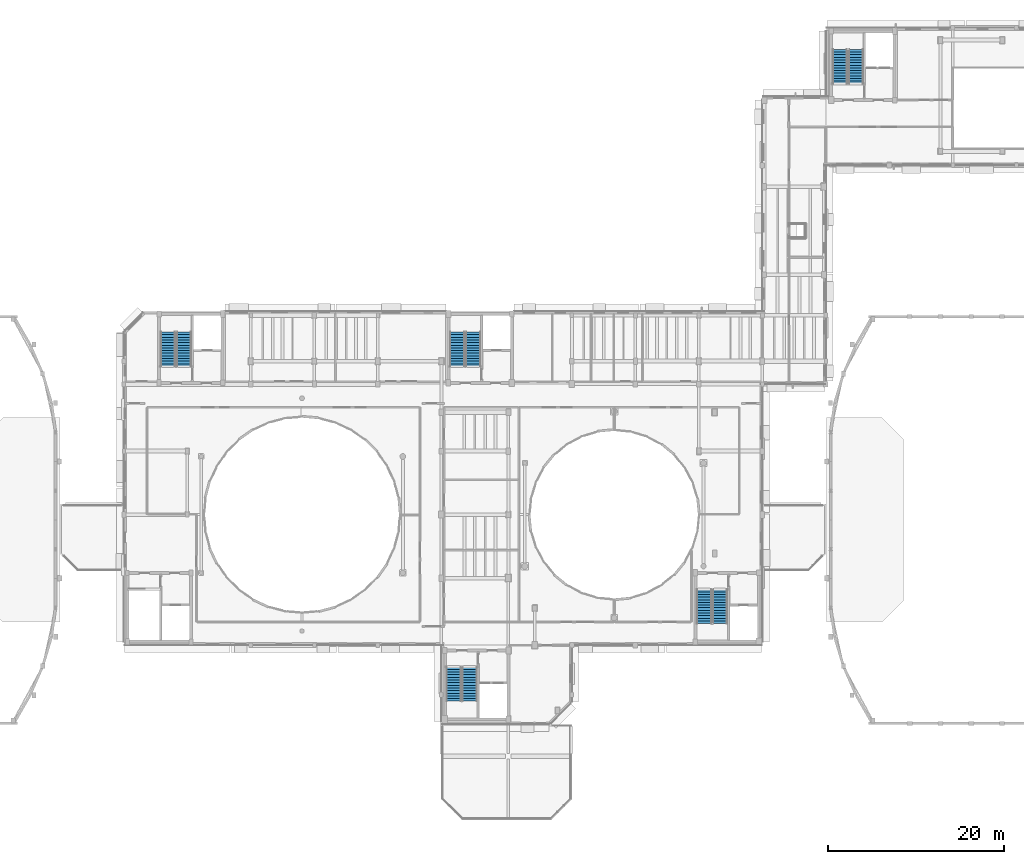
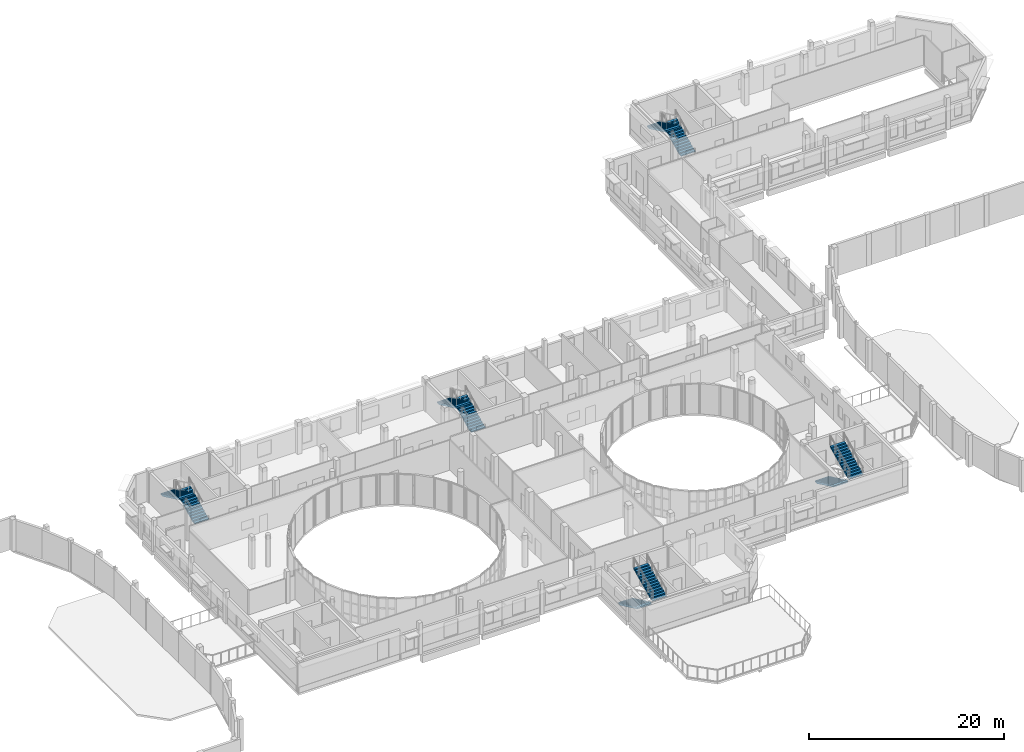
# One storey, part 76 of 89: 10 stair flights, 5 elements without a shape of their own.
"""IFC4 building model written with IfcOpenShell, lengths in metres."""

import ifcopenshell
import ifcopenshell.guid

model = None  # the IFC model being written
_history = None  # IfcOwnerHistory: only IFC2X3 demands one
_inside = {}  # id of a spatial element -> (the spatial element, [elements in it])
_under = {}  # id of a project, library or spatial element -> (it, [spatial elements below it])
_declared = {}  # id of a project -> (the project, [libraries it declares])
_typed = {}  # id of a type object -> (the type object, [elements of that type])
_made_of = {}  # id of a material, layer set ... -> (it, [elements and type objects made of it])


def new_model(schema):
    """Start an empty IFC model of exactly this schema.

    Asked for "IFC4X3", IfcOpenShell would pick the latest addendum, in which some entities
    have other attributes; the version numbers below select the first issue.
    IFC2X3 requires an IfcOwnerHistory on every rooted entity: one is made here for all.
    """
    global model, _history
    if schema == "IFC4X3":
        model = ifcopenshell.file(schema_version=(4, 3, 0, 0))
    else:
        model = ifcopenshell.file(schema=schema)
    _inside.clear()
    _under.clear()
    _declared.clear()
    _typed.clear()
    _made_of.clear()
    _history = None
    if model.schema == "IFC2X3":
        org = make("IfcOrganization", Name="unknown")
        user = make(
            "IfcPersonAndOrganization",
            ThePerson=make("IfcPerson", FamilyName="unknown"),
            TheOrganization=org,
        )
        app = make(
            "IfcApplication",
            ApplicationDeveloper=org,
            Version="unknown",
            ApplicationFullName="unknown",
            ApplicationIdentifier="unknown",
        )
        _history = make(
            "IfcOwnerHistory",
            OwningUser=user,
            OwningApplication=app,
            ChangeAction="ADDED",
            CreationDate=0,
        )
    return model


def make(cls, **values):
    """One entity of the class cls with the attributes given. An attribute that is None is left unset."""
    return model.create_entity(
        cls, **{name: value for name, value in values.items() if value is not None}
    )


def rooted(cls, **values):
    """An entity with a GlobalId (a new one), such as an element, a storey or a relation."""
    return make(cls, GlobalId=ifcopenshell.guid.new(), OwnerHistory=_history, **values)


def si_unit(unit_type, name, prefix=None):
    """IfcSIUnit, for example si_unit("LENGTHUNIT", "METRE", prefix="MILLI")."""
    return make("IfcSIUnit", UnitType=unit_type, Prefix=prefix, Name=name)


def assignment(units):
    """IfcUnitAssignment: the units of a project."""
    return None if units is None else make("IfcUnitAssignment", Units=units)


def point(xyz):
    """IfcCartesianPoint."""
    return None if xyz is None else make("IfcCartesianPoint", Coordinates=xyz)


def direction(xyz):
    """IfcDirection."""
    return None if xyz is None else make("IfcDirection", DirectionRatios=xyz)


def frame(location, z_axis=None, x_axis=None):
    """IfcAxis2Placement3D, a coordinate frame: its origin and axes. An axis left out is left unset."""
    return make(
        "IfcAxis2Placement3D",
        Location=point(location),
        Axis=direction(z_axis),
        RefDirection=direction(x_axis),
    )


def origin():
    """The frame at (0, 0, 0) with its axes left unset."""
    return frame((0.0, 0.0, 0.0))


def place(relative_to, where):
    """IfcLocalPlacement: puts the frame where relative to a parent placement (None: the world)."""
    return make(
        "IfcLocalPlacement", PlacementRelTo=relative_to, RelativePlacement=where
    )


def context(
    kind, dimensions, precision=None, world=None, true_north=None, identifier=None
):
    """IfcGeometricRepresentationContext, for example the 3D "Model" context."""
    return make(
        "IfcGeometricRepresentationContext",
        ContextIdentifier=identifier,
        ContextType=kind,
        CoordinateSpaceDimension=dimensions,
        Precision=precision,
        WorldCoordinateSystem=world,
        TrueNorth=true_north,
    )


def subcontext(parent, identifier, kind, view, scale=None):
    """IfcGeometricRepresentationSubContext, for example "Body" below "Model"."""
    return make(
        "IfcGeometricRepresentationSubContext",
        ContextIdentifier=identifier,
        ContextType=kind,
        ParentContext=parent,
        TargetScale=scale,
        TargetView=view,
    )


def project(units=None, contexts=None):
    """IfcProject with its units and contexts."""
    return rooted(
        "IfcProject",
        Name="project",
        RepresentationContexts=contexts,
        UnitsInContext=assignment(units),
    )


def spatial(cls, under=None, at=None, **own):
    """A site, building, storey or space (cls), placed at a placement, below another one or the project."""
    s = rooted(cls, ObjectPlacement=at, **own)
    if under is not None:
        _under.setdefault(under.id(), (under, []))[1].append(s)
    return s


def polyline(points):
    """IfcPolyline through the points."""
    return make("IfcPolyline", Points=[point(p) for p in points])


def outline(outer, holes=None, kind="AREA"):
    """IfcArbitraryClosedProfileDef: a profile drawn as a closed curve; with holes, ...WithVoids."""
    if holes is None:
        return make("IfcArbitraryClosedProfileDef", ProfileType=kind, OuterCurve=outer)
    return make(
        "IfcArbitraryProfileDefWithVoids",
        ProfileType=kind,
        OuterCurve=outer,
        InnerCurves=holes,
    )


def extrude(swept, where, along, depth):
    """IfcExtrudedAreaSolid: the profile swept, set in the frame where, extruded along a direction by depth."""
    return make(
        "IfcExtrudedAreaSolid",
        SweptArea=swept,
        Position=where,
        ExtrudedDirection=direction(along),
        Depth=depth,
    )


def shape(context_of_items, identifier, shape_type, items):
    """IfcShapeRepresentation: the items that make up one representation, for example the "Body"."""
    return make(
        "IfcShapeRepresentation",
        ContextOfItems=context_of_items,
        RepresentationIdentifier=identifier,
        RepresentationType=shape_type,
        Items=items,
    )


def material(Name=None, Category=None):
    """IfcMaterial."""
    return make("IfcMaterial", Name=Name, Category=Category)


def made_of(thing, what):
    """Note that an element or type object is made of a material, layer set ...; save() writes the relation."""
    if what is not None:
        _made_of.setdefault(what.id(), (what, []))[1].append(thing)
    return thing


def type_object(cls, material=None, **own):
    """A type object (cls), such as IfcWallType, which elements share."""
    return made_of(rooted(cls, **own), material)


def element(
    cls,
    number,
    at=None,
    inside=None,
    cuts=None,
    type_object=None,
    material=None,
    context=None,
    identifier="Body",
    shape_type=None,
    held_by="IfcProductDefinitionShape",
    body=None,
    shapes=None,
    **own,
):
    """One element of the class cls, such as IfcWall. Its Tag is "e" and its number.

    at: its placement. inside: the storey or other place that contains it. cuts: it is an
    opening in that element (IfcRelVoidsElement). A single representation is given by context,
    identifier, shape_type and body (its items); several are given by shapes. held_by: the class
    of the entity that holds the representations. save() writes the other relations.
    """
    e = rooted(cls, Tag="e%d" % number, ObjectPlacement=at, **own)
    if body is not None:
        shapes = [shape(context, identifier, shape_type, body)]
    if shapes is not None:
        e.Representation = make(held_by, Representations=shapes)
    if inside is not None:
        _inside.setdefault(inside.id(), (inside, []))[1].append(e)
    if cuts is not None:
        rooted(
            "IfcRelVoidsElement", RelatingBuildingElement=cuts, RelatedOpeningElement=e
        )
    if type_object is not None:
        _typed.setdefault(type_object.id(), (type_object, []))[1].append(e)
    return made_of(e, material)


def aggregate(whole, parts):
    """IfcRelAggregates: a whole, such as a stair, and the parts it consists of."""
    return rooted("IfcRelAggregates", RelatingObject=whole, RelatedObjects=parts)


def save(model, path):
    """Write the relations noted so far, then the file.

    IfcRelAggregates (storeys below a building ...), IfcRelContainedInSpatialStructure (elements
    in a storey), IfcRelDefinesByType, IfcRelAssociatesMaterial and IfcRelDeclares: one each for
    every whole, place, type object, material and project.
    """
    for whole, parts in _under.values():
        aggregate(whole, parts)
    for where, things in _inside.values():
        rooted(
            "IfcRelContainedInSpatialStructure",
            RelatedElements=things,
            RelatingStructure=where,
        )
    for kind, things in _typed.values():
        rooted("IfcRelDefinesByType", RelatedObjects=things, RelatingType=kind)
    for what, things in _made_of.values():
        rooted("IfcRelAssociatesMaterial", RelatedObjects=things, RelatingMaterial=what)
    for by, libraries in _declared.values():
        rooted("IfcRelDeclares", RelatingContext=by, RelatedDefinitions=libraries)
    model.write(path)


model = new_model("IFC4")

# Units and contexts
model_context = context("Model", 3, precision=1e-05, world=origin(), true_north=direction((0.0, 1.0)))
body_context = subcontext(model_context, "Body", "Model", "MODEL_VIEW")
ifc_project = project(units=[si_unit("LENGTHUNIT", "METRE"), si_unit("AREAUNIT", "SQUARE_METRE"), si_unit("VOLUMEUNIT", "CUBIC_METRE"), si_unit("PLANEANGLEUNIT", "RADIAN"), si_unit("MASSUNIT", "GRAM", prefix="KILO")], contexts=[model_context])

# Site, building, storey
site_placement = place(None, origin())
site = spatial("IfcSite", under=ifc_project, at=site_placement, CompositionType="ELEMENT")
building_placement = place(site_placement, origin())
building = spatial("IfcBuilding", under=site, at=building_placement, Name="Kelanivale Promenade Academy", CompositionType="ELEMENT")
storey_placement = place(building_placement, frame((0.0, 0.0, 12.199951171875)))
storey = spatial("IfcBuildingStorey", under=building, at=storey_placement, Name="L03", CompositionType="ELEMENT", Elevation=12.199951171875)

# Stair, stair flight
ifc_material = material(Name="Concrete C35/45", Category="concrete")
stair_type = type_object("IfcStairType", Name="ST-T02 Protected dog-leg upper-storey stair", PredefinedType="HALF_TURN_STAIR", material=ifc_material)
stair_1_placement = place(storey_placement, origin())
stair_1 = element("IfcStair", 1, at=stair_1_placement, inside=storey, type_object=stair_type, Name="L03 ST-01", PredefinedType="HALF_TURN_STAIR")
stair_flight_type_1 = type_object("IfcStairFlightType", Name="SF-T03 Core stair RC flight 14 risers x 142", PredefinedType="STRAIGHT", material=ifc_material)
stair_flight_1_placement = place(storey_placement, frame((80.610107421875, 39.544921875, 0.0), z_axis=(0.0, 0.0, 1.0), x_axis=(0.0, -1.0, 0.0)))
stair_flight_1 = element("IfcStairFlight", 2, at=stair_flight_1_placement, type_object=stair_flight_type_1, Name="ST-01 flight 1", NumberOfRisers=14, NumberOfTreads=13, PredefinedType="STRAIGHT", RiserHeight=0.142857143, TreadLength=0.3, context=body_context, shape_type="SweptSolid", body=[
    extrude(outline(polyline([(0.0, 0.0), (0.0, 0.142822265625), (0.300048828125, 0.142822265625), (0.300048828125, 0.28564453125), (0.60009765625, 0.28564453125), (0.60009765625, 0.428466796875), (0.89990234375, 0.428466796875), (0.89990234375, 0.571533203125), (1.199951171875, 0.571533203125), (1.199951171875, 0.71435546875), (1.5, 0.71435546875), (1.5, 0.857177734375), (1.800048828125, 0.857177734375), (1.800048828125, 1.0), (2.10009765625, 1.0), (2.10009765625, 1.142822265625), (2.39990234375, 1.142822265625), (2.39990234375, 1.28564453125), (2.699951171875, 1.28564453125), (2.699951171875, 1.428466796875), (3.0, 1.428466796875), (3.0, 1.571533203125), (3.300048828125, 1.571533203125), (3.300048828125, 1.71435546875), (3.60009765625, 1.71435546875), (3.60009765625, 1.857177734375), (3.89990234375, 1.857177734375), (3.89990234375, 2.0), (3.89990234375, 1.657958984375), (0.41845703125, 0.0), (0.0, 0.0)])), frame((0.0, 0.844970703125, 0.0), z_axis=(0.0, -1.0, 0.0), x_axis=(1.0, 0.0, 0.0)), (0.0, 0.0, 1.0), 1.68994140625),
])

stair_2_placement = place(storey_placement, origin())
stair_2 = element("IfcStair", 3, at=stair_2_placement, inside=storey, type_object=stair_type, Name="L03 ST-02", PredefinedType="HALF_TURN_STAIR")
stair_flight_2_placement = place(storey_placement, frame((82.820068359375, 73.60498046875, 0.0), z_axis=(0.0, 0.0, 1.0), x_axis=(0.0, 1.0, 0.0)))
stair_flight_2 = element("IfcStairFlight", 4, at=stair_flight_2_placement, type_object=stair_flight_type_1, Name="ST-02 flight 1", NumberOfRisers=14, NumberOfTreads=13, PredefinedType="STRAIGHT", RiserHeight=0.142857143, TreadLength=0.3, context=body_context, shape_type="SweptSolid", body=[
    extrude(outline(polyline([(0.0, 0.0), (0.0, 0.142822265625), (0.300048828125, 0.142822265625), (0.300048828125, 0.28564453125), (0.60009765625, 0.28564453125), (0.60009765625, 0.428466796875), (0.89990234375, 0.428466796875), (0.89990234375, 0.571533203125), (1.199951171875, 0.571533203125), (1.199951171875, 0.71435546875), (1.5, 0.71435546875), (1.5, 0.857177734375), (1.800048828125, 0.857177734375), (1.800048828125, 1.0), (2.10009765625, 1.0), (2.10009765625, 1.142822265625), (2.39990234375, 1.142822265625), (2.39990234375, 1.28564453125), (2.699951171875, 1.28564453125), (2.699951171875, 1.428466796875), (3.0, 1.428466796875), (3.0, 1.571533203125), (3.300048828125, 1.571533203125), (3.300048828125, 1.71435546875), (3.60009765625, 1.71435546875), (3.60009765625, 1.857177734375), (3.89990234375, 1.857177734375), (3.89990234375, 2.0), (3.89990234375, 1.657958984375), (0.41845703125, 0.0), (0.0, 0.0)])), frame((0.0, 0.844970703125, 0.0), z_axis=(0.0, -1.0, 0.0), x_axis=(1.0, 0.0, 0.0)), (0.0, 0.0, 1.0), 1.68994140625),
])

stair_3_placement = place(storey_placement, origin())
stair_3 = element("IfcStair", 5, at=stair_3_placement, inside=storey, type_object=stair_type, Name="L03 ST-03", PredefinedType="HALF_TURN_STAIR")
stair_flight_3_placement = place(storey_placement, frame((109.010009765625, 48.344970703125, 0.0), z_axis=(0.0, 0.0, 1.0), x_axis=(0.0, -1.0, 0.0)))
stair_flight_3 = element("IfcStairFlight", 6, at=stair_flight_3_placement, type_object=stair_flight_type_1, Name="ST-03 flight 1", NumberOfRisers=14, NumberOfTreads=13, PredefinedType="STRAIGHT", RiserHeight=0.142857143, TreadLength=0.3, context=body_context, shape_type="SweptSolid", body=[
    extrude(outline(polyline([(0.0, 0.0), (0.0, 0.142822265625), (0.300048828125, 0.142822265625), (0.300048828125, 0.28564453125), (0.60009765625, 0.28564453125), (0.60009765625, 0.428466796875), (0.89990234375, 0.428466796875), (0.89990234375, 0.571533203125), (1.199951171875, 0.571533203125), (1.199951171875, 0.71435546875), (1.5, 0.71435546875), (1.5, 0.857177734375), (1.800048828125, 0.857177734375), (1.800048828125, 1.0), (2.10009765625, 1.0), (2.10009765625, 1.142822265625), (2.39990234375, 1.142822265625), (2.39990234375, 1.28564453125), (2.699951171875, 1.28564453125), (2.699951171875, 1.428466796875), (3.0, 1.428466796875), (3.0, 1.571533203125), (3.300048828125, 1.571533203125), (3.300048828125, 1.71435546875), (3.60009765625, 1.71435546875), (3.60009765625, 1.857177734375), (3.89990234375, 1.857177734375), (3.89990234375, 2.0), (3.89990234375, 1.657958984375), (0.41845703125, 0.0), (0.0, 0.0)])), frame((0.0, 0.844970703125, 0.0), z_axis=(0.0, -1.0, 0.0), x_axis=(1.0, 0.0, 0.0)), (0.0, 0.0, 1.0), 1.68994140625),
])

stair_4_placement = place(storey_placement, origin())
stair_4 = element("IfcStair", 7, at=stair_4_placement, inside=storey, type_object=stair_type, Name="L03 ST-04", PredefinedType="HALF_TURN_STAIR")
stair_flight_4_placement = place(storey_placement, frame((50.02001953125, 73.60498046875, 0.0), z_axis=(0.0, 0.0, 1.0), x_axis=(0.0, 1.0, 0.0)))
stair_flight_4 = element("IfcStairFlight", 8, at=stair_flight_4_placement, type_object=stair_flight_type_1, Name="ST-04 flight 1", NumberOfRisers=14, NumberOfTreads=13, PredefinedType="STRAIGHT", RiserHeight=0.142857143, TreadLength=0.3, context=body_context, shape_type="SweptSolid", body=[
    extrude(outline(polyline([(0.0, 0.0), (0.0, 0.142822265625), (0.300048828125, 0.142822265625), (0.300048828125, 0.28564453125), (0.60009765625, 0.28564453125), (0.60009765625, 0.428466796875), (0.89990234375, 0.428466796875), (0.89990234375, 0.571533203125), (1.199951171875, 0.571533203125), (1.199951171875, 0.71435546875), (1.5, 0.71435546875), (1.5, 0.857177734375), (1.800048828125, 0.857177734375), (1.800048828125, 1.0), (2.10009765625, 1.0), (2.10009765625, 1.142822265625), (2.39990234375, 1.142822265625), (2.39990234375, 1.28564453125), (2.699951171875, 1.28564453125), (2.699951171875, 1.428466796875), (3.0, 1.428466796875), (3.0, 1.571533203125), (3.300048828125, 1.571533203125), (3.300048828125, 1.71435546875), (3.60009765625, 1.71435546875), (3.60009765625, 1.857177734375), (3.89990234375, 1.857177734375), (3.89990234375, 2.0), (3.89990234375, 1.657958984375), (0.41845703125, 0.0), (0.0, 0.0)])), frame((0.0, 0.844970703125, 0.0), z_axis=(0.0, -1.0, 0.0), x_axis=(1.0, 0.0, 0.0)), (0.0, 0.0, 1.0), 1.68994140625),
])

stair_5_placement = place(storey_placement, origin())
stair_5 = element("IfcStair", 9, at=stair_5_placement, inside=storey, type_object=stair_type, Name="L03 ST-05", PredefinedType="HALF_TURN_STAIR")
stair_flight_5_placement = place(storey_placement, frame((126.219970703125, 105.655029296875, 0.0), z_axis=(0.0, 0.0, 1.0), x_axis=(0.0, 1.0, 0.0)))
stair_flight_5 = element("IfcStairFlight", 10, at=stair_flight_5_placement, type_object=stair_flight_type_1, Name="ST-05 flight 1", NumberOfRisers=14, NumberOfTreads=13, PredefinedType="STRAIGHT", RiserHeight=0.142857143, TreadLength=0.3, context=body_context, shape_type="SweptSolid", body=[
    extrude(outline(polyline([(0.0, 0.0), (0.0, 0.142822265625), (0.300048828125, 0.142822265625), (0.300048828125, 0.28564453125), (0.60009765625, 0.28564453125), (0.60009765625, 0.428466796875), (0.89990234375, 0.428466796875), (0.89990234375, 0.571533203125), (1.199951171875, 0.571533203125), (1.199951171875, 0.71435546875), (1.5, 0.71435546875), (1.5, 0.857177734375), (1.800048828125, 0.857177734375), (1.800048828125, 1.0), (2.10009765625, 1.0), (2.10009765625, 1.142822265625), (2.39990234375, 1.142822265625), (2.39990234375, 1.28564453125), (2.699951171875, 1.28564453125), (2.699951171875, 1.428466796875), (3.0, 1.428466796875), (3.0, 1.571533203125), (3.300048828125, 1.571533203125), (3.300048828125, 1.71435546875), (3.60009765625, 1.71435546875), (3.60009765625, 1.857177734375), (3.89990234375, 1.857177734375), (3.89990234375, 2.0), (3.89990234375, 1.657958984375), (0.41845703125, 0.0), (0.0, 0.0)])), frame((0.0, 0.844970703125, 0.0), z_axis=(0.0, -1.0, 0.0), x_axis=(1.0, 0.0, 0.0)), (0.0, 0.0, 1.0), 1.68994140625),
])

# Stair flight
stair_flight_type_2 = type_object("IfcStairFlightType", Name="SF-T04 Core stair RC return flight 14 riser", PredefinedType="STRAIGHT", material=ifc_material)
stair_flight_6_placement = place(storey_placement, frame((82.419921875, 35.64501953125, 2.0), z_axis=(0.0, 0.0, 1.0), x_axis=(0.0, 1.0, 0.0)))
stair_flight_6 = element("IfcStairFlight", 11, at=stair_flight_6_placement, type_object=stair_flight_type_2, Name="ST-01 flight 2", NumberOfRisers=14, NumberOfTreads=13, PredefinedType="STRAIGHT", RiserHeight=0.142857143, TreadLength=0.3, context=body_context, shape_type="SweptSolid", body=[
    extrude(outline(polyline([(0.0, 0.0), (0.0, 0.142822265625), (0.300048828125, 0.142822265625), (0.300048828125, 0.28564453125), (0.60009765625, 0.28564453125), (0.60009765625, 0.428466796875), (0.89990234375, 0.428466796875), (0.89990234375, 0.571533203125), (1.199951171875, 0.571533203125), (1.199951171875, 0.71435546875), (1.5, 0.71435546875), (1.5, 0.857177734375), (1.800048828125, 0.857177734375), (1.800048828125, 1.0), (2.10009765625, 1.0), (2.10009765625, 1.142822265625), (2.39990234375, 1.142822265625), (2.39990234375, 1.28564453125), (2.699951171875, 1.28564453125), (2.699951171875, 1.428466796875), (3.0, 1.428466796875), (3.0, 1.571533203125), (3.300048828125, 1.571533203125), (3.300048828125, 1.71435546875), (3.60009765625, 1.71435546875), (3.60009765625, 1.857177734375), (3.89990234375, 1.857177734375), (3.89990234375, 2.0), (3.89990234375, 1.657958984375), (0.41845703125, 0.0), (0.0, 0.0)])), frame((0.0, 0.844970703125, 0.0), z_axis=(0.0, -1.0, 0.0), x_axis=(1.0, 0.0, 0.0)), (0.0, 0.0, 1.0), 1.68994140625),
])

aggregate(stair_1, [stair_flight_1, stair_flight_6])

stair_flight_7_placement = place(storey_placement, frame((81.010009765625, 77.5048828125, 2.0), z_axis=(0.0, 0.0, 1.0), x_axis=(0.0, -1.0, 0.0)))
stair_flight_7 = element("IfcStairFlight", 12, at=stair_flight_7_placement, type_object=stair_flight_type_2, Name="ST-02 flight 2", NumberOfRisers=14, NumberOfTreads=13, PredefinedType="STRAIGHT", RiserHeight=0.142857143, TreadLength=0.3, context=body_context, shape_type="SweptSolid", body=[
    extrude(outline(polyline([(0.0, 0.0), (0.0, 0.142822265625), (0.300048828125, 0.142822265625), (0.300048828125, 0.28564453125), (0.60009765625, 0.28564453125), (0.60009765625, 0.428466796875), (0.89990234375, 0.428466796875), (0.89990234375, 0.571533203125), (1.199951171875, 0.571533203125), (1.199951171875, 0.71435546875), (1.5, 0.71435546875), (1.5, 0.857177734375), (1.800048828125, 0.857177734375), (1.800048828125, 1.0), (2.10009765625, 1.0), (2.10009765625, 1.142822265625), (2.39990234375, 1.142822265625), (2.39990234375, 1.28564453125), (2.699951171875, 1.28564453125), (2.699951171875, 1.428466796875), (3.0, 1.428466796875), (3.0, 1.571533203125), (3.300048828125, 1.571533203125), (3.300048828125, 1.71435546875), (3.60009765625, 1.71435546875), (3.60009765625, 1.857177734375), (3.89990234375, 1.857177734375), (3.89990234375, 2.0), (3.89990234375, 1.657958984375), (0.41845703125, 0.0), (0.0, 0.0)])), frame((0.0, 0.844970703125, 0.0), z_axis=(0.0, -1.0, 0.0), x_axis=(1.0, 0.0, 0.0)), (0.0, 0.0, 1.0), 1.68994140625),
])

aggregate(stair_2, [stair_flight_2, stair_flight_7])

stair_flight_8_placement = place(storey_placement, frame((110.820068359375, 44.445068359375, 2.0), z_axis=(0.0, 0.0, 1.0), x_axis=(0.0, 1.0, 0.0)))
stair_flight_8 = element("IfcStairFlight", 13, at=stair_flight_8_placement, type_object=stair_flight_type_2, Name="ST-03 flight 2", NumberOfRisers=14, NumberOfTreads=13, PredefinedType="STRAIGHT", RiserHeight=0.142857143, TreadLength=0.3, context=body_context, shape_type="SweptSolid", body=[
    extrude(outline(polyline([(0.0, 0.0), (0.0, 0.142822265625), (0.300048828125, 0.142822265625), (0.300048828125, 0.28564453125), (0.60009765625, 0.28564453125), (0.60009765625, 0.428466796875), (0.89990234375, 0.428466796875), (0.89990234375, 0.571533203125), (1.199951171875, 0.571533203125), (1.199951171875, 0.71435546875), (1.5, 0.71435546875), (1.5, 0.857177734375), (1.800048828125, 0.857177734375), (1.800048828125, 1.0), (2.10009765625, 1.0), (2.10009765625, 1.142822265625), (2.39990234375, 1.142822265625), (2.39990234375, 1.28564453125), (2.699951171875, 1.28564453125), (2.699951171875, 1.428466796875), (3.0, 1.428466796875), (3.0, 1.571533203125), (3.300048828125, 1.571533203125), (3.300048828125, 1.71435546875), (3.60009765625, 1.71435546875), (3.60009765625, 1.857177734375), (3.89990234375, 1.857177734375), (3.89990234375, 2.0), (3.89990234375, 1.657958984375), (0.41845703125, 0.0), (0.0, 0.0)])), frame((0.0, 0.844970703125, 0.0), z_axis=(0.0, -1.0, 0.0), x_axis=(1.0, 0.0, 0.0)), (0.0, 0.0, 1.0), 1.68994140625),
])

aggregate(stair_3, [stair_flight_3, stair_flight_8])

stair_flight_9_placement = place(storey_placement, frame((48.2099609375, 77.5048828125, 2.0), z_axis=(0.0, 0.0, 1.0), x_axis=(0.0, -1.0, 0.0)))
stair_flight_9 = element("IfcStairFlight", 14, at=stair_flight_9_placement, type_object=stair_flight_type_2, Name="ST-04 flight 2", NumberOfRisers=14, NumberOfTreads=13, PredefinedType="STRAIGHT", RiserHeight=0.142857143, TreadLength=0.3, context=body_context, shape_type="SweptSolid", body=[
    extrude(outline(polyline([(0.0, 0.0), (0.0, 0.142822265625), (0.300048828125, 0.142822265625), (0.300048828125, 0.28564453125), (0.60009765625, 0.28564453125), (0.60009765625, 0.428466796875), (0.89990234375, 0.428466796875), (0.89990234375, 0.571533203125), (1.199951171875, 0.571533203125), (1.199951171875, 0.71435546875), (1.5, 0.71435546875), (1.5, 0.857177734375), (1.800048828125, 0.857177734375), (1.800048828125, 1.0), (2.10009765625, 1.0), (2.10009765625, 1.142822265625), (2.39990234375, 1.142822265625), (2.39990234375, 1.28564453125), (2.699951171875, 1.28564453125), (2.699951171875, 1.428466796875), (3.0, 1.428466796875), (3.0, 1.571533203125), (3.300048828125, 1.571533203125), (3.300048828125, 1.71435546875), (3.60009765625, 1.71435546875), (3.60009765625, 1.857177734375), (3.89990234375, 1.857177734375), (3.89990234375, 2.0), (3.89990234375, 1.657958984375), (0.41845703125, 0.0), (0.0, 0.0)])), frame((0.0, 0.844970703125, 0.0), z_axis=(0.0, -1.0, 0.0), x_axis=(1.0, 0.0, 0.0)), (0.0, 0.0, 1.0), 1.68994140625),
])

aggregate(stair_4, [stair_flight_4, stair_flight_9])

stair_flight_10_placement = place(storey_placement, frame((124.409912109375, 109.554931640625, 2.0), z_axis=(0.0, 0.0, 1.0), x_axis=(0.0, -1.0, 0.0)))
stair_flight_10 = element("IfcStairFlight", 15, at=stair_flight_10_placement, type_object=stair_flight_type_2, Name="ST-05 flight 2", NumberOfRisers=14, NumberOfTreads=13, PredefinedType="STRAIGHT", RiserHeight=0.142857143, TreadLength=0.3, context=body_context, shape_type="SweptSolid", body=[
    extrude(outline(polyline([(0.0, 0.0), (0.0, 0.142822265625), (0.300048828125, 0.142822265625), (0.300048828125, 0.28564453125), (0.60009765625, 0.28564453125), (0.60009765625, 0.428466796875), (0.89990234375, 0.428466796875), (0.89990234375, 0.571533203125), (1.199951171875, 0.571533203125), (1.199951171875, 0.71435546875), (1.5, 0.71435546875), (1.5, 0.857177734375), (1.800048828125, 0.857177734375), (1.800048828125, 1.0), (2.10009765625, 1.0), (2.10009765625, 1.142822265625), (2.39990234375, 1.142822265625), (2.39990234375, 1.28564453125), (2.699951171875, 1.28564453125), (2.699951171875, 1.428466796875), (3.0, 1.428466796875), (3.0, 1.571533203125), (3.300048828125, 1.571533203125), (3.300048828125, 1.71435546875), (3.60009765625, 1.71435546875), (3.60009765625, 1.857177734375), (3.89990234375, 1.857177734375), (3.89990234375, 2.0), (3.89990234375, 1.657958984375), (0.41845703125, 0.0), (0.0, 0.0)])), frame((0.0, 0.844970703125, 0.0), z_axis=(0.0, -1.0, 0.0), x_axis=(1.0, 0.0, 0.0)), (0.0, 0.0, 1.0), 1.68994140625),
])

aggregate(stair_5, [stair_flight_5, stair_flight_10])

save(model, "model.ifc")
